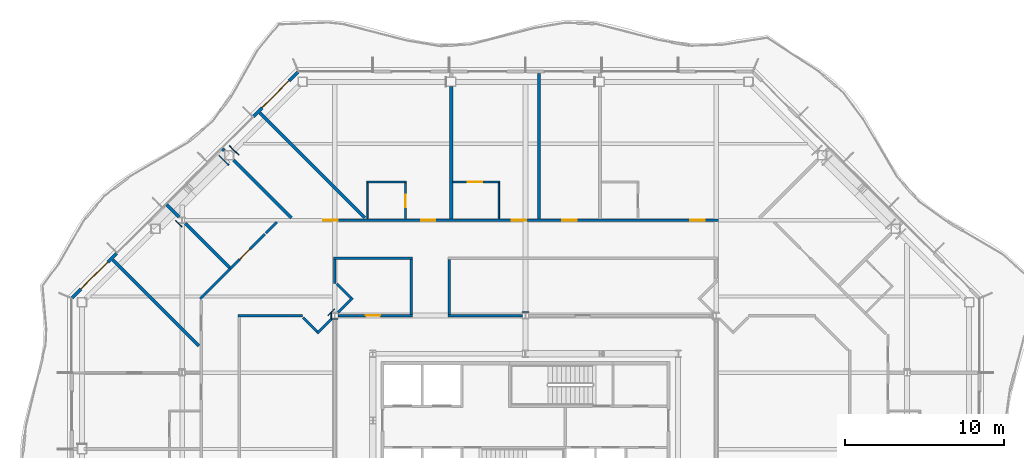
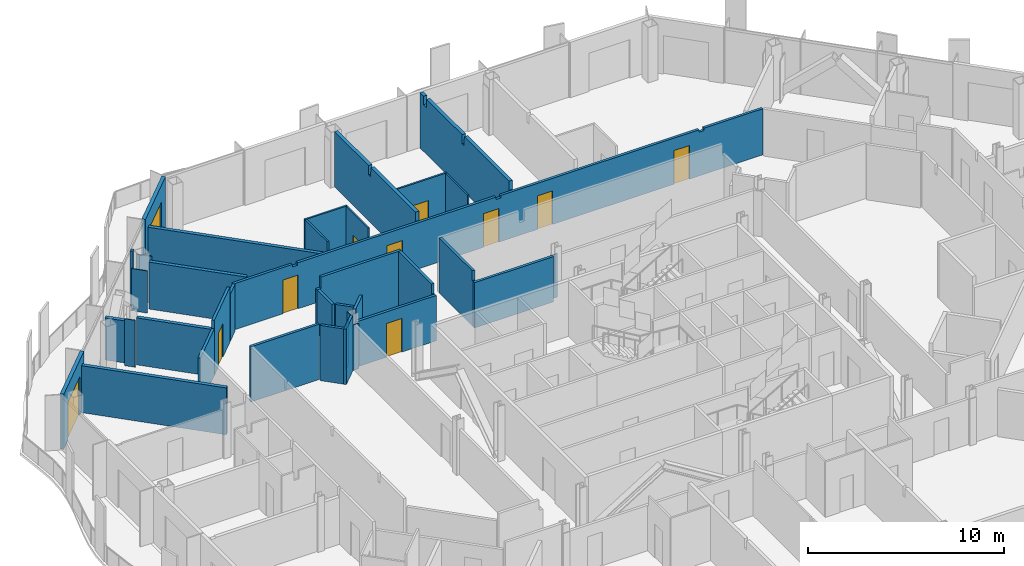
# One storey, part 12 of 21: 37 walls, 11 doors, 11 openings.
"""IFC4 building model written with IfcOpenShell, lengths in metres."""

from ifc_helpers import new_model, si_unit, direction, frame, frame_2d, origin, place, context, subcontext, project, spatial, polyline, rectangle, outline, extrude, material, layer, layer_set, type_object, element, fill, save


model = new_model("IFC4")

# Units and contexts
model_context = context("Model", 3, precision=1e-05, world=origin(), true_north=direction((0.0, 1.0)))
body_context = subcontext(model_context, "Body", "Model", "MODEL_VIEW")
ifc_project = project(units=[si_unit("LENGTHUNIT", "METRE"), si_unit("AREAUNIT", "SQUARE_METRE"), si_unit("VOLUMEUNIT", "CUBIC_METRE"), si_unit("PLANEANGLEUNIT", "RADIAN"), si_unit("MASSUNIT", "GRAM", prefix="KILO")], contexts=[model_context])

# Site, building, storey
site_placement = place(None, origin())
site = spatial("IfcSite", under=ifc_project, at=site_placement, CompositionType="ELEMENT")
building_placement = place(site_placement, origin())
building = spatial("IfcBuilding", under=site, at=building_placement, Name="Cairn Pilgrim Tower", CompositionType="ELEMENT")
storey_placement = place(building_placement, frame((0.0, 0.0, 161.39990234375)))
storey = spatial("IfcBuildingStorey", under=building, at=storey_placement, Name="L40", CompositionType="ELEMENT", Elevation=161.39990234375)

# Wall, opening, door
ifc_material_1 = material(Name="Bronze anodised aluminium insulated sandwich panel with mineral wool fill", Category="aluminium")
ifc_layer_1 = layer(ifc_material_1, 0.199951171875)
ifc_layer_set_1 = layer_set([ifc_layer_1], Name="BRONZE INFILL FRAME WALL 200")
wall_type_1 = type_object("IfcWallType", Name="BRONZE INFILL FRAME WALL 200", PredefinedType="NOTDEFINED", material=ifc_layer_set_1)
wall_1_placement = place(storey_placement, frame((-7.124755859375, 28.521728515625, 0.0), z_axis=(0.0, 0.0, 1.0), x_axis=(-0.707106781187, -0.707106781187, 0.0)))
wall_1 = element("IfcWall", 1, at=wall_1_placement, inside=storey, type_object=wall_type_1, Name="Bronze infill frame wall IW-NW1", PredefinedType="NOTDEFINED", context=body_context, shape_type="SweptSolid", body=[
    extrude(rectangle(XDim=3.961669921875, YDim=0.199951171875, at=frame_2d((1.98095703125, 0.0))), origin(), (0.0, 0.0, 1.0), 3.4501953125),
])
opening_1_placement = place(wall_1_placement, frame((0.775390625, 0.0, 0.0)))
opening_1 = element("IfcOpeningElement", 2, at=opening_1_placement, cuts=wall_1, Name="Opening 4013B2", PredefinedType="OPENING", context=body_context, shape_type="SweptSolid", body=[
    extrude(rectangle(XDim=2.39990234375, YDim=2.39990234375, at=frame_2d((1.199951171875, 1.199951171875))), frame((0.0, 0.10986328125, 0.0), z_axis=(0.0, -1.0, 0.0), x_axis=(1.0, 0.0, 0.0)), (0.0, 0.0, 1.0), 0.219970703125),
])
ifc_material_2 = material(Name="Bronze anodised aluminium frame with tinted low-E glass", Category="aluminium")
door_type_1 = type_object("IfcDoorType", Name="BALCONY SLIDING DOOR 2400x2400", OperationType="DOUBLE_DOOR_SLIDING", PredefinedType="DOOR", material=ifc_material_2)
door_1_placement = place(opening_1_placement, origin())
door_1 = element("IfcDoor", 3, at=door_1_placement, inside=storey, type_object=door_type_1, Name="Balcony sliding door 4013B2", OperationType="SINGLE_SWING_LEFT", OverallHeight=2.39990234375, OverallWidth=2.39990234375, PredefinedType="DOOR", context=body_context, shape_type="SweptSolid", body=[
    extrude(rectangle(XDim=2.39990234375, YDim=2.39990234375, at=frame_2d((1.199951171875, 1.199951171875))), frame((0.0, 0.02490234375, 0.0), z_axis=(0.0, -1.0, 0.0), x_axis=(1.0, 0.0, 0.0)), (0.0, 0.0, 1.0), 0.050048828125),
])
fill(opening_1, door_1)

wall_2_placement = place(storey_placement, frame((-18.5205078125, 17.1259765625, 0.0), z_axis=(0.0, 0.0, 1.0), x_axis=(-0.707106781187, -0.707106781187, 0.0)))
wall_2 = element("IfcWall", 4, at=wall_2_placement, inside=storey, type_object=wall_type_1, Name="Bronze infill frame wall IW-NW5", PredefinedType="NOTDEFINED", context=body_context, shape_type="SweptSolid", body=[
    extrude(rectangle(XDim=3.961669921875, YDim=0.199951171875, at=frame_2d((1.98095703125, 0.0))), origin(), (0.0, 0.0, 1.0), 3.4501953125),
])
opening_2_placement = place(wall_2_placement, frame((0.785400390625, 0.0, 0.0)))
opening_2 = element("IfcOpeningElement", 5, at=opening_2_placement, cuts=wall_2, Name="Opening 4023B", PredefinedType="OPENING", context=body_context, shape_type="SweptSolid", body=[
    extrude(rectangle(XDim=2.39990234375, YDim=2.39990234375, at=frame_2d((1.199951171875, 1.199951171875))), frame((0.0, 0.10986328125, 0.0), z_axis=(0.0, -1.0, 0.0), x_axis=(1.0, 0.0, 0.0)), (0.0, 0.0, 1.0), 0.219970703125),
])
door_2_placement = place(opening_2_placement, origin())
door_2 = element("IfcDoor", 6, at=door_2_placement, inside=storey, type_object=door_type_1, Name="Balcony sliding door 4023B", OperationType="SINGLE_SWING_LEFT", OverallHeight=2.39990234375, OverallWidth=2.39990234375, PredefinedType="DOOR", context=body_context, shape_type="SweptSolid", body=[
    extrude(rectangle(XDim=2.39990234375, YDim=2.39990234375, at=frame_2d((1.199951171875, 1.199951171875))), frame((0.0, 0.02490234375, 0.0), z_axis=(0.0, -1.0, 0.0), x_axis=(1.0, 0.0, 0.0)), (0.0, 0.0, 1.0), 0.050048828125),
])
fill(opening_2, door_2)

# Wall
ifc_material_3 = material(Name="Gypsum partition")
ifc_layer_2 = layer(ifc_material_3, 0.10009765625)
ifc_layer_set_2 = layer_set([ifc_layer_2], Name="PARTITION 100 DRYWALL")
wall_type_2 = type_object("IfcWallType", Name="PARTITION 100 DRYWALL", PredefinedType="PARTITIONING", material=ifc_layer_set_2)
wall_3_placement = place(storey_placement, frame((-2.751953125, 19.27490234375, 0.0), z_axis=(0.0, 0.0, 1.0), x_axis=(0.0, 1.0, 0.0)))
element("IfcWall", 7, at=wall_3_placement, inside=storey, type_object=wall_type_2, Name="PARTITION W105", PredefinedType="PARTITIONING", context=body_context, shape_type="SweptSolid", body=[
    extrude(outline(polyline([(0.0, 0.0), (2.275146484375, 0.0), (2.27490234375, 3.4501953125), (0.030029296875, 3.4501953125), (0.028076171875, 2.880126953125), (0.0, 2.880126953125), (0.0, 0.0)])), frame((0.0, 0.050048828125, 0.0), z_axis=(0.0, -1.0, 0.0), x_axis=(1.0, 0.0, 0.0)), (0.0, 0.0, 1.0), 0.10009765625),
])

# Wall, opening, door
wall_4_placement = place(storey_placement, frame((-0.35205078125, 19.27490234375, 0.0), z_axis=(0.0, 0.0, 1.0), x_axis=(0.0, 1.0, 0.0)))
wall_4 = element("IfcWall", 8, at=wall_4_placement, inside=storey, type_object=wall_type_2, Name="PARTITION W106", PredefinedType="PARTITIONING", context=body_context, shape_type="SweptSolid", body=[
    extrude(outline(polyline([(0.0, 0.0), (2.275146484375, 0.0), (2.27490234375, 3.4501953125), (0.030029296875, 3.4501953125), (0.028076171875, 2.880126953125), (0.0, 2.880126953125), (0.0, 0.0)])), frame((0.0, 0.050048828125, 0.0), z_axis=(0.0, -1.0, 0.0), x_axis=(1.0, 0.0, 0.0)), (0.0, 0.0, 1.0), 0.10009765625),
])
opening_3_placement = place(wall_4_placement, frame((0.72509765625, 0.0, 0.0)))
opening_3 = element("IfcOpeningElement", 9, at=opening_3_placement, cuts=wall_4, Name="Opening 4013A", PredefinedType="OPENING", context=body_context, shape_type="SweptSolid", body=[
    extrude(rectangle(XDim=0.800048828125, YDim=2.10009765625, at=frame_2d((0.39990234375, 1.050048828125))), frame((0.0, 0.06005859375, 0.0), z_axis=(0.0, -1.0, 0.0), x_axis=(1.0, 0.0, 0.0)), (0.0, 0.0, 1.0), 0.1201171875),
])
ifc_material_4 = material(Name="Timber door leaf", Category="wood")
door_type_2 = type_object("IfcDoorType", Name="WC DOOR 800x2100", OperationType="NOTDEFINED", PredefinedType="DOOR", material=ifc_material_4)
door_3_placement = place(opening_3_placement, frame((0.800048828125, 0.0, 0.0), z_axis=(0.0, 0.0, 1.0), x_axis=(-1.0, 0.0, 0.0)))
door_3 = element("IfcDoor", 10, at=door_3_placement, inside=storey, type_object=door_type_2, Name="DOOR 4013A", OperationType="SINGLE_SWING_LEFT", OverallHeight=2.10009765625, OverallWidth=0.800048828125, PredefinedType="DOOR", context=body_context, shape_type="SweptSolid", body=[
    extrude(rectangle(XDim=0.800048828125, YDim=2.10009765625, at=frame_2d((0.39990234375, 1.050048828125))), frame((0.0, 0.02490234375, 0.0), z_axis=(0.0, -1.0, 0.0), x_axis=(1.0, 0.0, 0.0)), (0.0, 0.0, 1.0), 0.050048828125),
])
fill(opening_3, door_3)

# Walls
wall_5_placement = place(storey_placement, frame((5.52392578125, 19.27490234375, 0.0), z_axis=(0.0, 0.0, 1.0), x_axis=(0.0, 1.0, 0.0)))
element("IfcWall", 11, at=wall_5_placement, inside=storey, type_object=wall_type_2, Name="PARTITION W108", PredefinedType="PARTITIONING", context=body_context, shape_type="SweptSolid", body=[
    extrude(outline(polyline([(0.0, 0.0), (2.275146484375, 0.0), (2.27490234375, 3.4501953125), (0.030029296875, 3.4501953125), (0.028076171875, 2.880126953125), (0.0, 2.880126953125), (0.0, 0.0)])), frame((0.0, 0.050048828125, 0.0), z_axis=(0.0, -1.0, 0.0), x_axis=(1.0, 0.0, 0.0)), (0.0, 0.0, 1.0), 0.10009765625),
])
wall_6_placement = place(storey_placement, frame((-2.802001953125, 21.60009765625, 0.0), z_axis=(0.0, 0.0, 1.0), x_axis=(1.0, 0.0, 0.0)))
element("IfcWall", 12, at=wall_6_placement, inside=storey, type_object=wall_type_2, Name="PARTITION W114", PredefinedType="PARTITIONING", context=body_context, shape_type="SweptSolid", body=[
    extrude(rectangle(XDim=2.5, YDim=0.10009765625, at=frame_2d((1.25, 0.0))), origin(), (0.0, 0.0, 1.0), 3.4501953125),
])

# Wall, opening, door
wall_7_placement = place(storey_placement, frame((2.6240234375, 21.60009765625, 0.0), z_axis=(0.0, 0.0, 1.0), x_axis=(1.0, 0.0, 0.0)))
wall_7 = element("IfcWall", 13, at=wall_7_placement, inside=storey, type_object=wall_type_2, Name="PARTITION W115", PredefinedType="PARTITIONING", context=body_context, shape_type="SweptSolid", body=[
    extrude(rectangle(XDim=2.949951171875, YDim=0.10009765625, at=frame_2d((1.47509765625, 0.0))), origin(), (0.0, 0.0, 1.0), 3.4501953125),
])
opening_4_placement = place(wall_7_placement, frame((0.949951171875, 0.0, 0.0)))
opening_4 = element("IfcOpeningElement", 14, at=opening_4_placement, cuts=wall_7, Name="Opening 4012A", PredefinedType="OPENING", context=body_context, shape_type="SweptSolid", body=[
    extrude(rectangle(XDim=0.89990234375, YDim=2.10009765625, at=frame_2d((0.449951171875, 1.050048828125))), frame((0.0, 0.06005859375, 0.0), z_axis=(0.0, -1.0, 0.0), x_axis=(1.0, 0.0, 0.0)), (0.0, 0.0, 1.0), 0.1201171875),
])
door_type_3 = type_object("IfcDoorType", Name="WC DOOR 900x2100", OperationType="NOTDEFINED", PredefinedType="DOOR", material=ifc_material_4)
door_4_placement = place(opening_4_placement, origin())
door_4 = element("IfcDoor", 15, at=door_4_placement, inside=storey, type_object=door_type_3, Name="DOOR 4012A", OperationType="SINGLE_SWING_LEFT", OverallHeight=2.10009765625, OverallWidth=0.89990234375, PredefinedType="DOOR", context=body_context, shape_type="SweptSolid", body=[
    extrude(rectangle(XDim=0.89990234375, YDim=2.10009765625, at=frame_2d((0.449951171875, 1.050048828125))), frame((0.0, 0.02490234375, 0.0), z_axis=(0.0, -1.0, 0.0), x_axis=(1.0, 0.0, 0.0)), (0.0, 0.0, 1.0), 0.050048828125),
])
fill(opening_4, door_4)

# Walls
ifc_layer_3 = layer(ifc_material_3, 0.14990234375)
ifc_layer_set_3 = layer_set([ifc_layer_3], Name="PARTITION 150 DRYWALL EI 60")
wall_type_3 = type_object("IfcWallType", Name="PARTITION 150 DRYWALL EI 60", PredefinedType="PARTITIONING", material=ifc_layer_set_3)
wall_8_placement = place(storey_placement, frame((-5.9140625, 12.0859375, 0.0), z_axis=(0.0, 0.0, 1.0), x_axis=(0.707106781187, 0.707106781187, 0.0)))
element("IfcWall", 16, at=wall_8_placement, inside=storey, type_object=wall_type_3, Name="PARTITION W072", PredefinedType="PARTITIONING", context=body_context, shape_type="SweptSolid", body=[
    extrude(rectangle(XDim=1.29541015625, YDim=0.14990234375, at=frame_2d((0.647705078125, 0.0))), origin(), (0.0, 0.0, 1.0), 3.4501953125),
])
wall_9_placement = place(storey_placement, frame((-5.9140625, 12.192138671875, 0.0), z_axis=(0.0, 0.0, 1.0), x_axis=(-0.706812296552, 0.70740114323, 0.0)))
element("IfcWall", 17, at=wall_9_placement, inside=storey, type_object=wall_type_3, Name="PARTITION W074", PredefinedType="PARTITIONING", context=body_context, shape_type="SweptSolid", body=[
    extrude(rectangle(XDim=1.243896484375, YDim=0.14990234375, at=frame_2d((0.6220703125, 0.0))), origin(), (0.0, 0.0, 1.0), 3.4501953125),
])
wall_10_placement = place(storey_placement, frame((-10.875, 13.199951171875, 0.0), z_axis=(0.0, 0.0, 1.0), x_axis=(1.0, 0.0, 0.0)))
element("IfcWall", 18, at=wall_10_placement, inside=storey, type_object=wall_type_3, Name="PARTITION W076", PredefinedType="PARTITIONING", context=body_context, shape_type="SweptSolid", body=[
    extrude(rectangle(XDim=4.059814453125, YDim=0.14990234375, at=frame_2d((2.02978515625, 0.0))), origin(), (0.0, 0.0, 1.0), 3.4501953125),
])

# Wall, opening, door
wall_11_placement = place(storey_placement, frame((-4.6005859375, 13.199951171875, 0.0), z_axis=(0.0, 0.0, 1.0), x_axis=(1.0, 0.0, 0.0)))
wall_11 = element("IfcWall", 19, at=wall_11_placement, inside=storey, type_object=wall_type_3, Name="PARTITION W077", PredefinedType="PARTITIONING", context=body_context, shape_type="SweptSolid", body=[
    extrude(rectangle(XDim=4.675537109375, YDim=0.14990234375, at=frame_2d((2.337890625, 0.0))), origin(), (0.0, 0.0, 1.0), 2.830078125),
])
opening_5_placement = place(wall_11_placement, frame((1.75048828125, 0.0, 0.0)))
opening_5 = element("IfcOpeningElement", 20, at=opening_5_placement, cuts=wall_11, Name="Opening 4028", PredefinedType="OPENING", context=body_context, shape_type="SweptSolid", body=[
    extrude(rectangle(XDim=0.89990234375, YDim=2.10009765625, at=frame_2d((0.449951171875, 1.050048828125))), frame((0.0, 0.0849609375, 0.0), z_axis=(0.0, -1.0, 0.0), x_axis=(1.0, 0.0, 0.0)), (0.0, 0.0, 1.0), 0.169921875),
])
door_type_4 = type_object("IfcDoorType", Name="SERVICE DOOR 900x2100 FD30S", OperationType="NOTDEFINED", PredefinedType="DOOR", material=ifc_material_4)
door_5_placement = place(opening_5_placement, origin())
door_5 = element("IfcDoor", 21, at=door_5_placement, inside=storey, type_object=door_type_4, Name="DOOR 4028", OperationType="SINGLE_SWING_RIGHT", OverallHeight=2.10009765625, OverallWidth=0.89990234375, PredefinedType="DOOR", context=body_context, shape_type="SweptSolid", body=[
    extrude(rectangle(XDim=0.89990234375, YDim=2.10009765625, at=frame_2d((0.449951171875, 1.050048828125))), frame((0.0, 0.02490234375, 0.0), z_axis=(0.0, -1.0, 0.0), x_axis=(1.0, 0.0, 0.0)), (0.0, 0.0, 1.0), 0.050048828125),
])
fill(opening_5, door_5)

# Walls
wall_12_placement = place(storey_placement, frame((2.324951171875, 13.199951171875, 0.0), z_axis=(0.0, 0.0, 1.0), x_axis=(1.0, 0.0, 0.0)))
element("IfcWall", 22, at=wall_12_placement, inside=storey, type_object=wall_type_3, Name="PARTITION W078", PredefinedType="PARTITIONING", context=body_context, shape_type="SweptSolid", body=[
    extrude(rectangle(XDim=4.675537109375, YDim=0.14990234375, at=frame_2d((2.337890625, 0.0))), origin(), (0.0, 0.0, 1.0), 2.830078125),
])
for number, where, z_axis, x_axis, name in (
    (23, (0.0, 13.27490234375, 0.0), (0.0, 0.0, 1.0), (0.0, 1.0, 0.0), "PARTITION W081"),
    (24, (2.39990234375, 13.27490234375, 0.0), (0.0, 0.0, 1.0), (0.0, 1.0, 0.0), "PARTITION W082"),
):
    element("IfcWall", number, at=place(storey_placement, frame(where, z_axis=z_axis, x_axis=x_axis)), inside=storey, type_object=wall_type_3, Name=name, PredefinedType="PARTITIONING", context=body_context, shape_type="SweptSolid", body=[
        extrude(outline(polyline([(0.0, 0.0), (3.4501953125, 0.0), (3.449951171875, 3.4501953125), (0.074951171875, 3.4501953125), (0.072998046875, 2.830078125), (0.0, 2.830078125), (0.0, 0.0)])), frame((0.0, 0.074951171875, 0.0), z_axis=(0.0, -1.0, 0.0), x_axis=(1.0, 0.0, 0.0)), (0.0, 0.0, 1.0), 0.14990234375),
    ])
wall_13_placement = place(storey_placement, frame((-4.60205078125, 13.39794921875, 0.0), z_axis=(0.0, 0.0, 1.0), x_axis=(0.707106781187, 0.707106781187, 0.0)))
element("IfcWall", 25, at=wall_13_placement, inside=storey, type_object=wall_type_3, Name="PARTITION W084", PredefinedType="PARTITIONING", context=body_context, shape_type="SweptSolid", body=[
    extrude(rectangle(XDim=1.2958984375, YDim=0.14990234375, at=frame_2d((0.64794921875, 0.0))), origin(), (0.0, 0.0, 1.0), 3.4501953125),
])
wall_14_placement = place(storey_placement, frame((-13.27490234375, 14.239990234375, 0.0), z_axis=(0.0, 0.0, 1.0), x_axis=(0.707286821097, 0.706926695424, 0.0)))
element("IfcWall", 26, at=wall_14_placement, inside=storey, type_object=wall_type_3, Name="PARTITION W087", PredefinedType="PARTITIONING", context=body_context, shape_type="SweptSolid", body=[
    extrude(rectangle(XDim=2.711669921875, YDim=0.14990234375, at=frame_2d((1.35595703125, 0.0))), origin(), (0.0, 0.0, 1.0), 2.93017578125),
])
wall_15_placement = place(storey_placement, frame((-3.7919921875, 14.31396484375, 0.0), z_axis=(0.0, 0.0, 1.0), x_axis=(-0.707499182195, 0.706714162298, 0.0)))
element("IfcWall", 27, at=wall_15_placement, inside=storey, type_object=wall_type_3, Name="PARTITION W089", PredefinedType="PARTITIONING", context=body_context, shape_type="SweptSolid", body=[
    extrude(rectangle(XDim=1.243896484375, YDim=0.14990234375, at=frame_2d((0.6220703125, 0.0))), origin(), (0.0, 0.0, 1.0), 2.72998046875),
])
wall_16_placement = place(storey_placement, frame((-4.800048828125, 15.215087890625, 0.0), z_axis=(0.0, 0.0, 1.0), x_axis=(0.0, 1.0, 0.0)))
element("IfcWall", 28, at=wall_16_placement, inside=storey, type_object=wall_type_3, Name="PARTITION W093", PredefinedType="PARTITIONING", context=body_context, shape_type="SweptSolid", body=[
    extrude(rectangle(XDim=1.510009765625, YDim=0.14990234375, at=frame_2d((0.7548828125, 0.0))), origin(), (0.0, 0.0, 1.0), 2.72998046875),
])

# Wall, opening, door
wall_17_placement = place(storey_placement, frame((-11.35693359375, 16.156982421875, 0.0), z_axis=(0.0, 0.0, 1.0), x_axis=(0.707106781187, 0.707106781187, 0.0)))
wall_17 = element("IfcWall", 29, at=wall_17_placement, inside=storey, type_object=wall_type_3, Name="PARTITION W095", PredefinedType="PARTITIONING", context=body_context, shape_type="SweptSolid", body=[
    extrude(rectangle(XDim=3.070556640625, YDim=0.14990234375, at=frame_2d((1.53515625, 0.0))), origin(), (0.0, 0.0, 1.0), 3.4501953125),
])
opening_6_placement = place(wall_17_placement, frame((0.822998046875, 0.0, 0.0)))
opening_6 = element("IfcOpeningElement", 30, at=opening_6_placement, cuts=wall_17, Name="Opening 4015", PredefinedType="OPENING", context=body_context, shape_type="SweptSolid", body=[
    extrude(rectangle(XDim=0.89990234375, YDim=2.10009765625, at=frame_2d((0.449951171875, 1.050048828125))), frame((0.0, 0.0849609375, 0.0), z_axis=(0.0, -1.0, 0.0), x_axis=(1.0, 0.0, 0.0)), (0.0, 0.0, 1.0), 0.169921875),
])
door_6_placement = place(opening_6_placement, origin())
door_6 = element("IfcDoor", 31, at=door_6_placement, inside=storey, type_object=door_type_4, Name="DOOR 4015", OperationType="SINGLE_SWING_LEFT", OverallHeight=2.10009765625, OverallWidth=0.89990234375, PredefinedType="DOOR", context=body_context, shape_type="SweptSolid", body=[
    extrude(rectangle(XDim=0.89990234375, YDim=2.10009765625, at=frame_2d((0.449951171875, 1.050048828125))), frame((0.0, 0.02490234375, 0.0), z_axis=(0.0, -1.0, 0.0), x_axis=(1.0, 0.0, 0.0)), (0.0, 0.0, 1.0), 0.050048828125),
])
fill(opening_6, door_6)

# Walls
wall_18_placement = place(storey_placement, frame((-4.875, 16.800048828125, 0.0), z_axis=(0.0, 0.0, 1.0), x_axis=(1.0, 0.0, 0.0)))
element("IfcWall", 32, at=wall_18_placement, inside=storey, type_object=wall_type_3, Name="PARTITION W097", PredefinedType="PARTITIONING", context=body_context, shape_type="SweptSolid", body=[
    extrude(outline(polyline([(0.0, 0.0), (4.949951171875, 0.0), (4.949951171875, 3.4501953125), (0.22509765625, 3.4501953125), (0.222900390625, 2.72998046875), (0.0, 2.72998046875), (0.0, 0.0)])), frame((0.0, 0.074951171875, 0.0), z_axis=(0.0, -1.0, 0.0), x_axis=(1.0, 0.0, 0.0)), (0.0, 0.0, 1.0), 0.14990234375),
])
wall_19_placement = place(storey_placement, frame((-9.1328125, 18.38134765625, 0.0), z_axis=(0.0, 0.0, 1.0), x_axis=(0.706731558776, 0.707481804593, 0.0)))
element("IfcWall", 33, at=wall_19_placement, inside=storey, type_object=wall_type_3, Name="PARTITION W100", PredefinedType="PARTITIONING", context=body_context, shape_type="SweptSolid", body=[
    extrude(rectangle(XDim=0.976318359375, YDim=0.14990234375, at=frame_2d((0.48828125, 0.0))), origin(), (0.0, 0.0, 1.0), 2.93017578125),
])

# Wall, openings, doors
wall_20_placement = place(storey_placement, frame((-8.4208984375, 19.199951171875, 0.0), z_axis=(0.0, 0.0, 1.0), x_axis=(1.0, 0.0, 0.0)))
wall_20 = element("IfcWall", 34, at=wall_20_placement, inside=storey, type_object=wall_type_3, Name="PARTITION W102", PredefinedType="PARTITIONING", context=body_context, shape_type="SweptSolid", body=[
    extrude(outline(polyline([(0.0, 0.0), (31.241943359375, 0.0), (31.241943359375, 2.880126953125), (27.77099609375, 2.880126953125), (27.76904296875, 2.72998046875), (27.470947265625, 2.72998046875), (27.468994140625, 2.880126953125), (15.77099609375, 2.880126953125), (15.76904296875, 2.72998046875), (15.470947265625, 2.72998046875), (15.468994140625, 2.880126953125), (3.77099609375, 2.880126953125), (3.76904296875, 2.72998046875), (3.470947265625, 2.72998046875), (3.468994140625, 2.880126953125), (0.0, 2.880126953125), (0.0, 0.0)])), frame((0.0, 0.074951171875, 0.0), z_axis=(0.0, -1.0, 0.0), x_axis=(1.0, 0.0, 0.0)), (0.0, 0.0, 1.0), 0.14990234375),
])
opening_7_placement = place(wall_20_placement, frame((25.9970703125, 0.0, 0.0)))
opening_7 = element("IfcOpeningElement", 35, at=opening_7_placement, cuts=wall_20, Name="Opening 4010", PredefinedType="OPENING", context=body_context, shape_type="SweptSolid", body=[
    extrude(rectangle(XDim=0.89990234375, YDim=2.10009765625, at=frame_2d((0.449951171875, 1.050048828125))), frame((0.0, 0.0849609375, 0.0), z_axis=(0.0, -1.0, 0.0), x_axis=(1.0, 0.0, 0.0)), (0.0, 0.0, 1.0), 0.169921875),
])
opening_8_placement = place(wall_20_placement, frame((17.929931640625, 0.0, 0.0)))
opening_8 = element("IfcOpeningElement", 36, at=opening_8_placement, cuts=wall_20, Name="Opening 4011", PredefinedType="OPENING", context=body_context, shape_type="SweptSolid", body=[
    extrude(rectangle(XDim=0.89990234375, YDim=2.10009765625, at=frame_2d((0.449951171875, 1.050048828125))), frame((0.0, 0.0849609375, 0.0), z_axis=(0.0, -1.0, 0.0), x_axis=(1.0, 0.0, 0.0)), (0.0, 0.0, 1.0), 0.169921875),
])
opening_9_placement = place(wall_20_placement, frame((14.75390625, 0.0, 0.0)))
opening_9 = element("IfcOpeningElement", 37, at=opening_9_placement, cuts=wall_20, Name="Opening 4012", PredefinedType="OPENING", context=body_context, shape_type="SweptSolid", body=[
    extrude(rectangle(XDim=0.89990234375, YDim=2.10009765625, at=frame_2d((0.449951171875, 1.050048828125))), frame((0.0, 0.0849609375, 0.0), z_axis=(0.0, -1.0, 0.0), x_axis=(1.0, 0.0, 0.0)), (0.0, 0.0, 1.0), 0.169921875),
])
opening_10_placement = place(wall_20_placement, frame((9.056884765625, 0.0, 0.0)))
opening_10 = element("IfcOpeningElement", 38, at=opening_10_placement, cuts=wall_20, Name="Opening 4013", PredefinedType="OPENING", context=body_context, shape_type="SweptSolid", body=[
    extrude(rectangle(XDim=0.89990234375, YDim=2.10009765625, at=frame_2d((0.449951171875, 1.050048828125))), frame((0.0, 0.0849609375, 0.0), z_axis=(0.0, -1.0, 0.0), x_axis=(1.0, 0.0, 0.0)), (0.0, 0.0, 1.0), 0.169921875),
])
opening_11_placement = place(wall_20_placement, frame((2.906982421875, 0.0, 0.0)))
opening_11 = element("IfcOpeningElement", 39, at=opening_11_placement, cuts=wall_20, Name="Opening 4014", PredefinedType="OPENING", context=body_context, shape_type="SweptSolid", body=[
    extrude(rectangle(XDim=0.89990234375, YDim=2.10009765625, at=frame_2d((0.449951171875, 1.050048828125))), frame((0.0, 0.0849609375, 0.0), z_axis=(0.0, -1.0, 0.0), x_axis=(1.0, 0.0, 0.0)), (0.0, 0.0, 1.0), 0.169921875),
])
door_type_5 = type_object("IfcDoorType", Name="ROOM DOOR 900x2100 FD30S", OperationType="NOTDEFINED", PredefinedType="DOOR", material=ifc_material_4)
door_7_placement = place(opening_7_placement, origin())
door_7 = element("IfcDoor", 40, at=door_7_placement, inside=storey, type_object=door_type_5, Name="DOOR 4010", OperationType="SINGLE_SWING_LEFT", OverallHeight=2.10009765625, OverallWidth=0.89990234375, PredefinedType="DOOR", context=body_context, shape_type="SweptSolid", body=[
    extrude(rectangle(XDim=0.89990234375, YDim=2.10009765625, at=frame_2d((0.449951171875, 1.050048828125))), frame((0.0, 0.02490234375, 0.0), z_axis=(0.0, -1.0, 0.0), x_axis=(1.0, 0.0, 0.0)), (0.0, 0.0, 1.0), 0.050048828125),
])
fill(opening_7, door_7)
door_8_placement = place(opening_8_placement, origin())
door_8 = element("IfcDoor", 41, at=door_8_placement, inside=storey, type_object=door_type_5, Name="DOOR 4011", OperationType="SINGLE_SWING_LEFT", OverallHeight=2.10009765625, OverallWidth=0.89990234375, PredefinedType="DOOR", context=body_context, shape_type="SweptSolid", body=[
    extrude(rectangle(XDim=0.89990234375, YDim=2.10009765625, at=frame_2d((0.449951171875, 1.050048828125))), frame((0.0, 0.02490234375, 0.0), z_axis=(0.0, -1.0, 0.0), x_axis=(1.0, 0.0, 0.0)), (0.0, 0.0, 1.0), 0.050048828125),
])
fill(opening_8, door_8)
door_9_placement = place(opening_9_placement, origin())
door_9 = element("IfcDoor", 42, at=door_9_placement, inside=storey, type_object=door_type_5, Name="DOOR 4012", OperationType="SINGLE_SWING_LEFT", OverallHeight=2.10009765625, OverallWidth=0.89990234375, PredefinedType="DOOR", context=body_context, shape_type="SweptSolid", body=[
    extrude(rectangle(XDim=0.89990234375, YDim=2.10009765625, at=frame_2d((0.449951171875, 1.050048828125))), frame((0.0, 0.02490234375, 0.0), z_axis=(0.0, -1.0, 0.0), x_axis=(1.0, 0.0, 0.0)), (0.0, 0.0, 1.0), 0.050048828125),
])
fill(opening_9, door_9)
door_10_placement = place(opening_10_placement, origin())
door_10 = element("IfcDoor", 43, at=door_10_placement, inside=storey, type_object=door_type_5, Name="DOOR 4013", OperationType="SINGLE_SWING_LEFT", OverallHeight=2.10009765625, OverallWidth=0.89990234375, PredefinedType="DOOR", context=body_context, shape_type="SweptSolid", body=[
    extrude(rectangle(XDim=0.89990234375, YDim=2.10009765625, at=frame_2d((0.449951171875, 1.050048828125))), frame((0.0, 0.02490234375, 0.0), z_axis=(0.0, -1.0, 0.0), x_axis=(1.0, 0.0, 0.0)), (0.0, 0.0, 1.0), 0.050048828125),
])
fill(opening_10, door_10)
door_11_placement = place(opening_11_placement, origin())
door_11 = element("IfcDoor", 44, at=door_11_placement, inside=storey, type_object=door_type_4, Name="DOOR 4014", OperationType="SINGLE_SWING_LEFT", OverallHeight=2.10009765625, OverallWidth=0.89990234375, PredefinedType="DOOR", context=body_context, shape_type="SweptSolid", body=[
    extrude(rectangle(XDim=0.89990234375, YDim=2.10009765625, at=frame_2d((0.449951171875, 1.050048828125))), frame((0.0, 0.02490234375, 0.0), z_axis=(0.0, -1.0, 0.0), x_axis=(1.0, 0.0, 0.0)), (0.0, 0.0, 1.0), 0.050048828125),
])
fill(opening_11, door_11)

# Walls
ifc_layer_4 = layer(ifc_material_3, 0.050048828125)
ifc_layer_set_4 = layer_set([ifc_layer_4], Name="PARTITION 50 DRYWALL EI 60")
wall_type_4 = type_object("IfcWallType", Name="PARTITION 50 DRYWALL EI 60", PredefinedType="PARTITIONING", material=ifc_layer_set_4)
wall_21_placement = place(storey_placement, frame((-5.0244140625, 13.00341796875, 0.0), z_axis=(0.0, 0.0, 1.0), x_axis=(0.0, 1.0, 0.0)))
element("IfcWall", 45, at=wall_21_placement, inside=storey, type_object=wall_type_4, Name="COLUMN CASING WC14", PredefinedType="PARTITIONING", context=body_context, shape_type="SweptSolid", body=[
    extrude(rectangle(XDim=0.39306640625, YDim=0.050048828125, at=frame_2d((0.196533203125, 0.0))), origin(), (0.0, 0.0, 1.0), 3.4501953125),
])
wall_22_placement = place(storey_placement, frame((-5.213623046875, 13.2177734375, 0.0), z_axis=(0.0, 0.0, 1.0), x_axis=(0.707106781187, 0.707106781187, 0.0)))
element("IfcWall", 46, at=wall_22_placement, inside=storey, type_object=wall_type_4, Name="COLUMN CASING WC23", PredefinedType="PARTITIONING", context=body_context, shape_type="SweptSolid", body=[
    extrude(rectangle(XDim=0.56005859375, YDim=0.050048828125, at=frame_2d((0.280029296875, 0.0))), origin(), (0.0, 0.0, 1.0), 2.72998046875),
])
wall_23_placement = place(storey_placement, frame((-4.99951171875, 12.978515625, 0.0), z_axis=(0.0, 0.0, 1.0), x_axis=(1.0, 0.0, 0.0)))
element("IfcWall", 47, at=wall_23_placement, inside=storey, type_object=wall_type_4, Name="COLUMN CASING WC25", PredefinedType="PARTITIONING", context=body_context, shape_type="SweptSolid", body=[
    extrude(rectangle(XDim=0.39892578125, YDim=0.050048828125, at=frame_2d((0.199462890625, 0.0))), origin(), (0.0, 0.0, 1.0), 2.830078125),
])
wall_24_placement = place(storey_placement, frame((7.00048828125, 13.42138671875, 0.0), z_axis=(0.0, 0.0, 1.0), x_axis=(1.0, 0.0, 0.0)))
element("IfcWall", 48, at=wall_24_placement, inside=storey, type_object=wall_type_4, Name="COLUMN CASING WC26", PredefinedType="PARTITIONING", context=body_context, shape_type="SweptSolid", body=[
    extrude(rectangle(XDim=0.39892578125, YDim=0.050048828125, at=frame_2d((0.199462890625, 0.0))), origin(), (0.0, 0.0, 1.0), 2.72998046875),
])
wall_25_placement = place(storey_placement, frame((-14.417724609375, 18.786376953125, 0.0), z_axis=(0.0, 0.0, 1.0), x_axis=(-0.707106781187, 0.707106781187, 0.0)))
element("IfcWall", 49, at=wall_25_placement, inside=storey, type_object=wall_type_4, Name="COLUMN CASING WC28", PredefinedType="PARTITIONING", context=body_context, shape_type="SweptSolid", body=[
    extrude(rectangle(XDim=0.56005859375, YDim=0.050048828125, at=frame_2d((0.280029296875, 0.0))), origin(), (0.0, 0.0, 1.0), 2.93017578125),
])
wall_26_placement = place(storey_placement, frame((-11.46923828125, 22.657958984375, 0.0), z_axis=(0.0, 0.0, 1.0), x_axis=(-0.706962899457, 0.707250633645, 0.0)))
element("IfcWall", 50, at=wall_26_placement, inside=storey, type_object=wall_type_4, Name="COLUMN CASING WC31", PredefinedType="PARTITIONING", context=body_context, shape_type="SweptSolid", body=[
    extrude(rectangle(XDim=0.848388671875, YDim=0.050048828125, at=frame_2d((0.42431640625, 0.0))), origin(), (0.0, 0.0, 1.0), 2.630126953125),
])
wall_27_placement = place(storey_placement, frame((-10.833740234375, 23.29345703125, 0.0), z_axis=(0.0, 0.0, 1.0), x_axis=(-0.707250633645, 0.706962899457, 0.0)))
element("IfcWall", 51, at=wall_27_placement, inside=storey, type_object=wall_type_4, Name="COLUMN CASING WC32", PredefinedType="PARTITIONING", context=body_context, shape_type="SweptSolid", body=[
    extrude(rectangle(XDim=0.848388671875, YDim=0.050048828125, at=frame_2d((0.42431640625, 0.0))), origin(), (0.0, 0.0, 1.0), 2.93017578125),
])
ifc_layer_5 = layer(ifc_material_3, 0.199951171875)
ifc_layer_set_5 = layer_set([ifc_layer_5], Name="SHAFT WALL 200 GYPSUM EI 60")
wall_type_5 = type_object("IfcWallType", Name="SHAFT WALL 200 GYPSUM EI 60", PredefinedType="PARTITIONING", material=ifc_layer_set_5)
wall_28_placement = place(storey_placement, frame((-13.345703125, 11.297607421875, 0.0), z_axis=(0.0, 0.0, 1.0), x_axis=(-0.707106781187, 0.707106781187, 0.0)))
element("IfcWall", 52, at=wall_28_placement, inside=storey, type_object=wall_type_5, Name="PARTITION W070", PredefinedType="PARTITIONING", context=body_context, shape_type="SweptSolid", body=[
    extrude(rectangle(XDim=7.650390625, YDim=0.199951171875, at=frame_2d((3.8251953125, 0.0))), origin(), (0.0, 0.0, 1.0), 2.93017578125),
])
wall_29_placement = place(storey_placement, frame((-11.41015625, 16.210205078125, 0.0), z_axis=(0.0, 0.0, 1.0), x_axis=(-0.707106781187, 0.707106781187, 0.0)))
element("IfcWall", 53, at=wall_29_placement, inside=storey, type_object=wall_type_5, Name="PARTITION W096", PredefinedType="PARTITIONING", context=body_context, shape_type="SweptSolid", body=[
    extrude(rectangle(XDim=3.9482421875, YDim=0.199951171875, at=frame_2d((1.97412109375, 0.0))), origin(), (0.0, 0.0, 1.0), 2.93017578125),
])
wall_30_placement = place(storey_placement, frame((-7.521728515625, 19.345703125, 0.0), z_axis=(0.0, 0.0, 1.0), x_axis=(-0.707106781187, 0.707106781187, 0.0)))
element("IfcWall", 54, at=wall_30_placement, inside=storey, type_object=wall_type_5, Name="PARTITION W103", PredefinedType="PARTITIONING", context=body_context, shape_type="SweptSolid", body=[
    extrude(rectangle(XDim=5.133544921875, YDim=0.199951171875, at=frame_2d((2.56689453125, 0.0))), origin(), (0.0, 0.0, 1.0), 2.93017578125),
])
wall_31_placement = place(storey_placement, frame((-2.897705078125, 19.345703125, 0.0), z_axis=(0.0, 0.0, 1.0), x_axis=(-0.707106781187, 0.707106781187, 0.0)))
element("IfcWall", 55, at=wall_31_placement, inside=storey, type_object=wall_type_5, Name="PARTITION W104", PredefinedType="PARTITIONING", context=body_context, shape_type="SweptSolid", body=[
    extrude(rectangle(XDim=9.347412109375, YDim=0.199951171875, at=frame_2d((4.673828125, 0.0))), origin(), (0.0, 0.0, 1.0), 2.72998046875),
])
wall_32_placement = place(storey_placement, frame((2.52392578125, 19.27490234375, 0.0), z_axis=(0.0, 0.0, 1.0), x_axis=(0.0, 1.0, 0.0)))
element("IfcWall", 56, at=wall_32_placement, inside=storey, type_object=wall_type_5, Name="PARTITION W107", PredefinedType="PARTITIONING", context=body_context, shape_type="SweptSolid", body=[
    extrude(outline(polyline([(0.0, 0.0), (8.3251953125, 0.0), (8.324951171875, 3.4501953125), (4.830078125, 3.4501953125), (4.827880859375, 2.880126953125), (4.6201171875, 2.880126953125), (4.617919921875, 3.4501953125), (0.030029296875, 3.4501953125), (0.028076171875, 2.880126953125), (0.0, 2.880126953125), (0.0, 0.0)])), frame((0.0, 0.10009765625, 0.0), z_axis=(0.0, -1.0, 0.0), x_axis=(1.0, 0.0, 0.0)), (0.0, 0.0, 1.0), 0.199951171875),
])
wall_33_placement = place(storey_placement, frame((8.0419921875, 19.27490234375, 0.0), z_axis=(0.0, 0.0, 1.0), x_axis=(0.0, 1.0, 0.0)))
element("IfcWall", 57, at=wall_33_placement, inside=storey, type_object=wall_type_5, Name="PARTITION W109", PredefinedType="PARTITIONING", context=body_context, shape_type="SweptSolid", body=[
    extrude(outline(polyline([(0.0, 0.0), (9.14501953125, 0.0), (9.14501953125, 3.4501953125), (8.77490234375, 3.4501953125), (8.77294921875, 2.93017578125), (8.47509765625, 2.93017578125), (8.472900390625, 3.4501953125), (4.830078125, 3.4501953125), (4.827880859375, 2.880126953125), (4.6201171875, 2.880126953125), (4.617919921875, 3.4501953125), (0.030029296875, 3.4501953125), (0.028076171875, 2.880126953125), (0.0, 2.880126953125), (0.0, 0.0)])), frame((0.0, 0.10009765625, 0.0), z_axis=(0.0, -1.0, 0.0), x_axis=(1.0, 0.0, 0.0)), (0.0, 0.0, 1.0), 0.199951171875),
])
wall_34_placement = place(storey_placement, frame((-14.597900390625, 19.39794921875, 0.0), z_axis=(0.0, 0.0, 1.0), x_axis=(-0.707106781187, 0.707106781187, 0.0)))
element("IfcWall", 58, at=wall_34_placement, inside=storey, type_object=wall_type_5, Name="PARTITION W113", PredefinedType="PARTITIONING", context=body_context, shape_type="SweptSolid", body=[
    extrude(rectangle(XDim=1.107177734375, YDim=0.199951171875, at=frame_2d((0.5537109375, 0.0))), origin(), (0.0, 0.0, 1.0), 2.630126953125),
])
wall_35_placement = place(storey_placement, frame((-11.751708984375, 23.57568359375, 0.0), z_axis=(0.0, 0.0, 1.0), x_axis=(-0.707106781187, 0.707106781187, 0.0)))
element("IfcWall", 59, at=wall_35_placement, inside=storey, type_object=wall_type_5, Name="PARTITION W117", PredefinedType="PARTITIONING", context=body_context, shape_type="SweptSolid", body=[
    extrude(rectangle(XDim=0.165771484375, YDim=0.199951171875, at=frame_2d((0.0830078125, 0.0))), origin(), (0.0, 0.0, 1.0), 3.4501953125),
])

save(model, "model.ifc")
